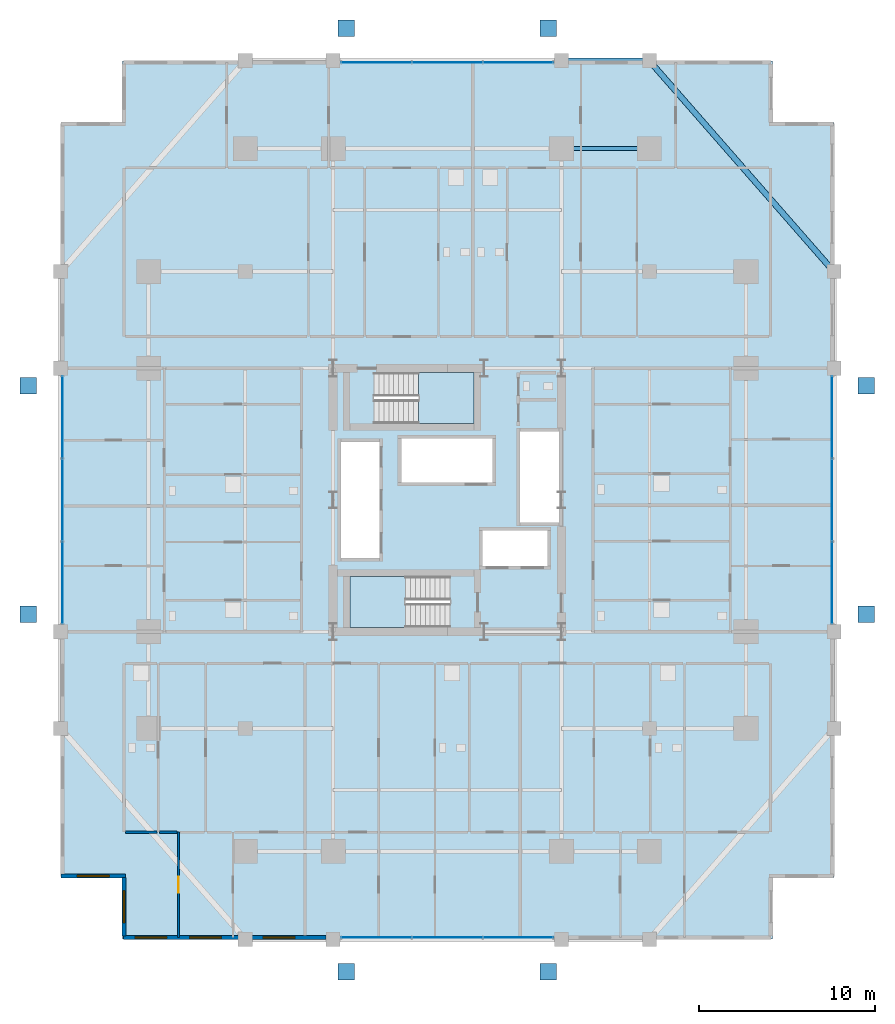
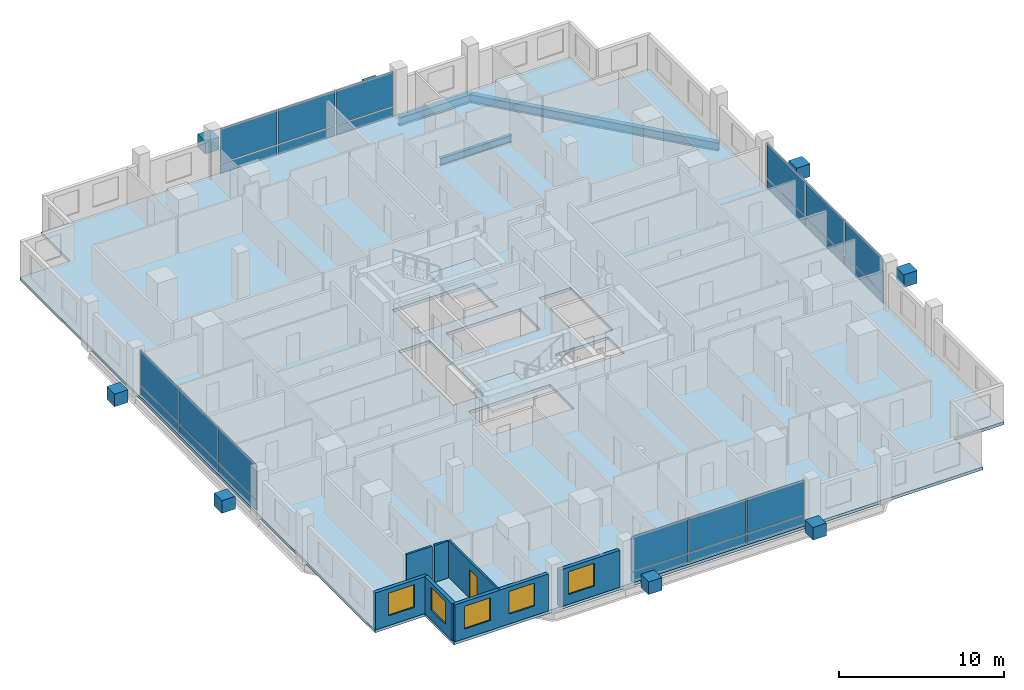
# One storey, part 16 of 24: 32 plates, 7 walls, 5 windows, 3 beams, 3 slabs, 1 door, 6 openings, 6 elements without a shape of their own.
"""IFC4 building model written with IfcOpenShell, lengths in metres."""

from ifc_helpers import new_model, si_unit, direction, frame, frame_2d, origin, origin_2d, place, context, subcontext, project, spatial, polyline, rectangle, i_section, outline, extrude, material, layer, layer_set, material_profile, profile_set, type_object, element, fill, aggregate, save


model = new_model("IFC4")

# Units and contexts
model_context = context("Model", 3, precision=1e-05, world=origin(), true_north=direction((0.0, 1.0)))
body_context = subcontext(model_context, "Body", "Model", "MODEL_VIEW")
ifc_project = project(units=[si_unit("LENGTHUNIT", "METRE"), si_unit("AREAUNIT", "SQUARE_METRE"), si_unit("VOLUMEUNIT", "CUBIC_METRE"), si_unit("PLANEANGLEUNIT", "RADIAN"), si_unit("MASSUNIT", "GRAM", prefix="KILO")], contexts=[model_context])

# Site, building, storey
site_placement = place(None, origin())
site = spatial("IfcSite", under=ifc_project, at=site_placement, CompositionType="ELEMENT")
building_placement = place(site_placement, origin())
building = spatial("IfcBuilding", under=site, at=building_placement, Name="Barlavira Tower and Art Museum", CompositionType="ELEMENT")
storey_placement = place(building_placement, frame((0.0, 0.0, 32.39990234375)))
storey = spatial("IfcBuildingStorey", under=building, at=storey_placement, Name="L06", CompositionType="ELEMENT", Elevation=32.39990234375)

# Beams
ifc_material_1 = material(Name="Steel S355", Category="steel")
ifc_material_profile_1 = material_profile(ifc_material_1, i_section(OverallWidth=0.327880859375, OverallDepth=0.62890625, WebThickness=0.013916015625, FlangeThickness=0.021484375, at=origin_2d()), Name="W610x174.0")
ifc_profile_set_1 = profile_set([ifc_material_profile_1], Name="Steel S355")
beam_type_1 = type_object("IfcBeamType", Name="Perimeter Spandrel Edge Beam W610x174 Steel S355", PredefinedType="SPANDREL", material=ifc_profile_set_1)
beam_1_placement = place(storey_placement, frame((22.0, 13.0, -0.534423828125), z_axis=(-0.658504607869, 0.752576694707, 0.0), x_axis=(-0.752576694707, -0.658504607869, 0.0)))
element("IfcBeam", 1, at=beam_1_placement, inside=storey, type_object=beam_type_1, Name="L06 Spandrel 8", PredefinedType="SPANDREL", context=body_context, shape_type="SweptSolid", body=[
    extrude(i_section(OverallWidth=0.327880859375, OverallDepth=0.62890625, WebThickness=0.013916015625, FlangeThickness=0.021484375, at=origin_2d()), origin(), (0.0, 0.0, 1.0), 15.9453125),
])
beam_2_placement = place(storey_placement, frame((6.5, 25.0, -0.534423828125), z_axis=(1.0, 0.0, 0.0), x_axis=(0.0, 1.0, 0.0)))
element("IfcBeam", 2, at=beam_2_placement, inside=storey, type_object=beam_type_1, Name="L06 Spandrel 9", PredefinedType="SPANDREL", context=body_context, shape_type="SweptSolid", body=[
    extrude(i_section(OverallWidth=0.327880859375, OverallDepth=0.62890625, WebThickness=0.013916015625, FlangeThickness=0.021484375, at=origin_2d()), origin(), (0.0, 0.0, 1.0), 5.0),
])
ifc_material_profile_2 = material_profile(ifc_material_1, i_section(OverallWidth=0.214111328125, OverallDepth=0.549072265625, WebThickness=0.0146484375, FlangeThickness=0.023681640625, at=origin_2d()), Name="W530x138.0")
ifc_profile_set_2 = profile_set([ifc_material_profile_2], Name="Steel S355")
beam_type_2 = type_object("IfcBeamType", Name="Zone 1 Primary Floor Girder W530x138 Steel S355", PredefinedType="BEAM", material=ifc_profile_set_2)
beam_3_placement = place(storey_placement, frame((6.5, 20.0, -0.494384765625), z_axis=(1.0, 0.0, 0.0), x_axis=(0.0, 1.0, 0.0)))
element("IfcBeam", 3, at=beam_3_placement, inside=storey, type_object=beam_type_2, Name="L06 Girder M-N3", PredefinedType="BEAM", context=body_context, shape_type="SweptSolid", body=[
    extrude(i_section(OverallWidth=0.214111328125, OverallDepth=0.549072265625, WebThickness=0.0146484375, FlangeThickness=0.023681640625, at=origin_2d()), origin(), (0.0, 0.0, 1.0), 5.0),
])

# Curtain wall, plates
ifc_material_2 = material(Name="Low-iron coastal laminated glass", Category="glass")
ifc_layer_1 = layer(ifc_material_2, 0.179931640625, Name="Low-iron coastal laminated glass")
ifc_layer_set_1 = layer_set([ifc_layer_1], Name="Low-iron coastal laminated glass")
curtain_wall_type = type_object("IfcCurtainWallType", Name="Pale-Metal Unitised Curtain Wall Zone 1", PredefinedType="NOTDEFINED", material=ifc_layer_set_1)
curtain_wall_1_placement = place(storey_placement, origin())
curtain_wall_1 = element("IfcCurtainWall", 4, at=curtain_wall_1_placement, inside=storey, type_object=curtain_wall_type, Name="L06 Curtain Wall CW1-L06-S-B3", PredefinedType="NOTDEFINED")
ifc_material_3 = material(Name="Pale anodised aluminium", Category="aluminium")
ifc_layer_2 = layer(ifc_material_3, 0.044921875, Name="Pale anodised aluminium")
ifc_layer_set_2 = layer_set([ifc_layer_2], Name="Pale anodised aluminium")
plate_type_1 = type_object("IfcPlateType", Name="Curtain Wall Pale-Metal Spandrel Panel 45", PredefinedType="CURTAIN_PANEL", material=ifc_layer_set_2)
plate_1_placement = place(storey_placement, frame((-4.05322265625, -24.89990234375, 0.0400390625), z_axis=(0.0, 0.0, 1.0), x_axis=(1.0, 0.0, 0.0)))
plate_1 = element("IfcPlate", 5, at=plate_1_placement, type_object=plate_type_1, Name="CW1-L06-S-B3 Spandrel Panel 0", PredefinedType="CURTAIN_PANEL", context=body_context, shape_type="SweptSolid", body=[
    extrude(rectangle(XDim=3.953369140625, YDim=0.044921875, at=origin_2d()), origin(), (0.0, 0.0, 1.0), 0.6640625),
])
plate_2_placement = place(storey_placement, frame((0.0, -24.89990234375, 0.0400390625), z_axis=(0.0, 0.0, 1.0), x_axis=(1.0, 0.0, 0.0)))
plate_2 = element("IfcPlate", 6, at=plate_2_placement, type_object=plate_type_1, Name="CW1-L06-S-B3 Spandrel Panel 1", PredefinedType="CURTAIN_PANEL", context=body_context, shape_type="SweptSolid", body=[
    extrude(rectangle(XDim=3.953369140625, YDim=0.044921875, at=origin_2d()), origin(), (0.0, 0.0, 1.0), 0.6640625),
])
plate_3_placement = place(storey_placement, frame((4.05322265625, -24.89990234375, 0.0400390625), z_axis=(0.0, 0.0, 1.0), x_axis=(1.0, 0.0, 0.0)))
plate_3 = element("IfcPlate", 7, at=plate_3_placement, type_object=plate_type_1, Name="CW1-L06-S-B3 Spandrel Panel 2", PredefinedType="CURTAIN_PANEL", context=body_context, shape_type="SweptSolid", body=[
    extrude(rectangle(XDim=3.953369140625, YDim=0.044921875, at=origin_2d()), origin(), (0.0, 0.0, 1.0), 0.6640625),
])

curtain_wall_2_placement = place(storey_placement, origin())
curtain_wall_2 = element("IfcCurtainWall", 8, at=curtain_wall_2_placement, inside=storey, type_object=curtain_wall_type, Name="L06 Curtain Wall CW1-L06-N-B3", PredefinedType="NOTDEFINED")
plate_4_placement = place(storey_placement, frame((4.05322265625, 24.89990234375, 0.0400390625), z_axis=(0.0, 0.0, 1.0), x_axis=(-1.0, 0.0, 0.0)))
plate_4 = element("IfcPlate", 9, at=plate_4_placement, type_object=plate_type_1, Name="CW1-L06-N-B3 Spandrel Panel 0", PredefinedType="CURTAIN_PANEL", context=body_context, shape_type="SweptSolid", body=[
    extrude(rectangle(XDim=3.953369140625, YDim=0.044921875, at=origin_2d()), origin(), (0.0, 0.0, 1.0), 0.6640625),
])
plate_5_placement = place(storey_placement, frame((0.0, 24.89990234375, 0.0400390625), z_axis=(0.0, 0.0, 1.0), x_axis=(-1.0, 0.0, 0.0)))
plate_5 = element("IfcPlate", 10, at=plate_5_placement, type_object=plate_type_1, Name="CW1-L06-N-B3 Spandrel Panel 1", PredefinedType="CURTAIN_PANEL", context=body_context, shape_type="SweptSolid", body=[
    extrude(rectangle(XDim=3.953369140625, YDim=0.044921875, at=origin_2d()), origin(), (0.0, 0.0, 1.0), 0.6640625),
])
plate_6_placement = place(storey_placement, frame((-4.05322265625, 24.89990234375, 0.0400390625), z_axis=(0.0, 0.0, 1.0), x_axis=(-1.0, 0.0, 0.0)))
plate_6 = element("IfcPlate", 11, at=plate_6_placement, type_object=plate_type_1, Name="CW1-L06-N-B3 Spandrel Panel 2", PredefinedType="CURTAIN_PANEL", context=body_context, shape_type="SweptSolid", body=[
    extrude(rectangle(XDim=3.953369140625, YDim=0.044921875, at=origin_2d()), origin(), (0.0, 0.0, 1.0), 0.6640625),
])

curtain_wall_3_placement = place(storey_placement, origin())
curtain_wall_3 = element("IfcCurtainWall", 12, at=curtain_wall_3_placement, inside=storey, type_object=curtain_wall_type, Name="L06 Curtain Wall CW1-L06-W-B3", PredefinedType="NOTDEFINED")
plate_7_placement = place(storey_placement, frame((-21.89990234375, 4.719970703125, 0.0400390625), z_axis=(0.0, 0.0, 1.0), x_axis=(0.0, -1.0, 0.0)))
plate_7 = element("IfcPlate", 13, at=plate_7_placement, type_object=plate_type_1, Name="CW1-L06-W-B3 Spandrel Panel 0", PredefinedType="CURTAIN_PANEL", context=body_context, shape_type="SweptSolid", body=[
    extrude(rectangle(XDim=4.6201171875, YDim=0.044921875, at=origin_2d()), origin(), (0.0, 0.0, 1.0), 0.6640625),
])
plate_8_placement = place(storey_placement, frame((-21.89990234375, 0.0, 0.0400390625), z_axis=(0.0, 0.0, 1.0), x_axis=(0.0, -1.0, 0.0)))
plate_8 = element("IfcPlate", 14, at=plate_8_placement, type_object=plate_type_1, Name="CW1-L06-W-B3 Spandrel Panel 1", PredefinedType="CURTAIN_PANEL", context=body_context, shape_type="SweptSolid", body=[
    extrude(rectangle(XDim=4.6201171875, YDim=0.044921875, at=origin_2d()), origin(), (0.0, 0.0, 1.0), 0.6640625),
])
plate_9_placement = place(storey_placement, frame((-21.89990234375, -4.719970703125, 0.0400390625), z_axis=(0.0, 0.0, 1.0), x_axis=(0.0, -1.0, 0.0)))
plate_9 = element("IfcPlate", 15, at=plate_9_placement, type_object=plate_type_1, Name="CW1-L06-W-B3 Spandrel Panel 2", PredefinedType="CURTAIN_PANEL", context=body_context, shape_type="SweptSolid", body=[
    extrude(rectangle(XDim=4.6201171875, YDim=0.044921875, at=origin_2d()), origin(), (0.0, 0.0, 1.0), 0.6640625),
])

curtain_wall_4_placement = place(storey_placement, origin())
curtain_wall_4 = element("IfcCurtainWall", 16, at=curtain_wall_4_placement, inside=storey, type_object=curtain_wall_type, Name="L06 Curtain Wall CW1-L06-E-B3", PredefinedType="NOTDEFINED")
plate_10_placement = place(storey_placement, frame((21.89990234375, -4.719970703125, 0.0400390625), z_axis=(0.0, 0.0, 1.0), x_axis=(0.0, 1.0, 0.0)))
plate_10 = element("IfcPlate", 17, at=plate_10_placement, type_object=plate_type_1, Name="CW1-L06-E-B3 Spandrel Panel 0", PredefinedType="CURTAIN_PANEL", context=body_context, shape_type="SweptSolid", body=[
    extrude(rectangle(XDim=4.6201171875, YDim=0.044921875, at=origin_2d()), origin(), (0.0, 0.0, 1.0), 0.6640625),
])
plate_11_placement = place(storey_placement, frame((21.89990234375, 0.0, 0.0400390625), z_axis=(0.0, 0.0, 1.0), x_axis=(0.0, 1.0, 0.0)))
plate_11 = element("IfcPlate", 18, at=plate_11_placement, type_object=plate_type_1, Name="CW1-L06-E-B3 Spandrel Panel 1", PredefinedType="CURTAIN_PANEL", context=body_context, shape_type="SweptSolid", body=[
    extrude(rectangle(XDim=4.6201171875, YDim=0.044921875, at=origin_2d()), origin(), (0.0, 0.0, 1.0), 0.6640625),
])
plate_12_placement = place(storey_placement, frame((21.89990234375, 4.719970703125, 0.0400390625), z_axis=(0.0, 0.0, 1.0), x_axis=(0.0, 1.0, 0.0)))
plate_12 = element("IfcPlate", 19, at=plate_12_placement, type_object=plate_type_1, Name="CW1-L06-E-B3 Spandrel Panel 2", PredefinedType="CURTAIN_PANEL", context=body_context, shape_type="SweptSolid", body=[
    extrude(rectangle(XDim=4.6201171875, YDim=0.044921875, at=origin_2d()), origin(), (0.0, 0.0, 1.0), 0.6640625),
])

# Plate
ifc_layer_3 = layer(ifc_material_2, 0.028076171875, Name="Low-iron coastal laminated glass")
ifc_layer_set_3 = layer_set([ifc_layer_3], Name="Low-iron coastal laminated glass")
plate_type_2 = type_object("IfcPlateType", Name="Curtain Wall Vision Glazing Panel 28", PredefinedType="CURTAIN_PANEL", material=ifc_layer_set_3)
plate_13_placement = place(storey_placement, frame((-4.05322265625, -24.89990234375, 0.7841796875), z_axis=(0.0, 0.0, 1.0), x_axis=(1.0, 0.0, 0.0)))
plate_13 = element("IfcPlate", 20, at=plate_13_placement, type_object=plate_type_2, Name="CW1-L06-S-B3 Vision Glass Panel 0", PredefinedType="CURTAIN_PANEL", context=body_context, shape_type="SweptSolid", body=[
    extrude(rectangle(XDim=3.953369140625, YDim=0.028076171875, at=origin_2d()), origin(), (0.0, 0.0, 1.0), 2.555908203125),
])

plate_14_placement = place(storey_placement, frame((0.0, -24.89990234375, 0.7841796875), z_axis=(0.0, 0.0, 1.0), x_axis=(1.0, 0.0, 0.0)))
plate_14 = element("IfcPlate", 21, at=plate_14_placement, type_object=plate_type_2, Name="CW1-L06-S-B3 Vision Glass Panel 1", PredefinedType="CURTAIN_PANEL", context=body_context, shape_type="SweptSolid", body=[
    extrude(rectangle(XDim=3.953369140625, YDim=0.028076171875, at=origin_2d()), origin(), (0.0, 0.0, 1.0), 2.555908203125),
])

plate_15_placement = place(storey_placement, frame((4.05322265625, -24.89990234375, 0.7841796875), z_axis=(0.0, 0.0, 1.0), x_axis=(1.0, 0.0, 0.0)))
plate_15 = element("IfcPlate", 22, at=plate_15_placement, type_object=plate_type_2, Name="CW1-L06-S-B3 Vision Glass Panel 2", PredefinedType="CURTAIN_PANEL", context=body_context, shape_type="SweptSolid", body=[
    extrude(rectangle(XDim=3.953369140625, YDim=0.028076171875, at=origin_2d()), origin(), (0.0, 0.0, 1.0), 2.555908203125),
])

aggregate(curtain_wall_1, [plate_1, plate_13, plate_2, plate_14, plate_3, plate_15])

plate_16_placement = place(storey_placement, frame((4.05322265625, 24.89990234375, 0.7841796875), z_axis=(0.0, 0.0, 1.0), x_axis=(-1.0, 0.0, 0.0)))
plate_16 = element("IfcPlate", 23, at=plate_16_placement, type_object=plate_type_2, Name="CW1-L06-N-B3 Vision Glass Panel 0", PredefinedType="CURTAIN_PANEL", context=body_context, shape_type="SweptSolid", body=[
    extrude(rectangle(XDim=3.953369140625, YDim=0.028076171875, at=origin_2d()), origin(), (0.0, 0.0, 1.0), 2.555908203125),
])

plate_17_placement = place(storey_placement, frame((0.0, 24.89990234375, 0.7841796875), z_axis=(0.0, 0.0, 1.0), x_axis=(-1.0, 0.0, 0.0)))
plate_17 = element("IfcPlate", 24, at=plate_17_placement, type_object=plate_type_2, Name="CW1-L06-N-B3 Vision Glass Panel 1", PredefinedType="CURTAIN_PANEL", context=body_context, shape_type="SweptSolid", body=[
    extrude(rectangle(XDim=3.953369140625, YDim=0.028076171875, at=origin_2d()), origin(), (0.0, 0.0, 1.0), 2.555908203125),
])

plate_18_placement = place(storey_placement, frame((-4.05322265625, 24.89990234375, 0.7841796875), z_axis=(0.0, 0.0, 1.0), x_axis=(-1.0, 0.0, 0.0)))
plate_18 = element("IfcPlate", 25, at=plate_18_placement, type_object=plate_type_2, Name="CW1-L06-N-B3 Vision Glass Panel 2", PredefinedType="CURTAIN_PANEL", context=body_context, shape_type="SweptSolid", body=[
    extrude(rectangle(XDim=3.953369140625, YDim=0.028076171875, at=origin_2d()), origin(), (0.0, 0.0, 1.0), 2.555908203125),
])

aggregate(curtain_wall_2, [plate_4, plate_16, plate_5, plate_17, plate_6, plate_18])

plate_19_placement = place(storey_placement, frame((-21.89990234375, 4.719970703125, 0.7841796875), z_axis=(0.0, 0.0, 1.0), x_axis=(0.0, -1.0, 0.0)))
plate_19 = element("IfcPlate", 26, at=plate_19_placement, type_object=plate_type_2, Name="CW1-L06-W-B3 Vision Glass Panel 0", PredefinedType="CURTAIN_PANEL", context=body_context, shape_type="SweptSolid", body=[
    extrude(rectangle(XDim=4.6201171875, YDim=0.028076171875, at=origin_2d()), origin(), (0.0, 0.0, 1.0), 2.555908203125),
])

plate_20_placement = place(storey_placement, frame((-21.89990234375, 0.0, 0.7841796875), z_axis=(0.0, 0.0, 1.0), x_axis=(0.0, -1.0, 0.0)))
plate_20 = element("IfcPlate", 27, at=plate_20_placement, type_object=plate_type_2, Name="CW1-L06-W-B3 Vision Glass Panel 1", PredefinedType="CURTAIN_PANEL", context=body_context, shape_type="SweptSolid", body=[
    extrude(rectangle(XDim=4.6201171875, YDim=0.028076171875, at=origin_2d()), origin(), (0.0, 0.0, 1.0), 2.555908203125),
])

plate_21_placement = place(storey_placement, frame((-21.89990234375, -4.719970703125, 0.7841796875), z_axis=(0.0, 0.0, 1.0), x_axis=(0.0, -1.0, 0.0)))
plate_21 = element("IfcPlate", 28, at=plate_21_placement, type_object=plate_type_2, Name="CW1-L06-W-B3 Vision Glass Panel 2", PredefinedType="CURTAIN_PANEL", context=body_context, shape_type="SweptSolid", body=[
    extrude(rectangle(XDim=4.6201171875, YDim=0.028076171875, at=origin_2d()), origin(), (0.0, 0.0, 1.0), 2.555908203125),
])

aggregate(curtain_wall_3, [plate_7, plate_19, plate_8, plate_20, plate_9, plate_21])

plate_22_placement = place(storey_placement, frame((21.89990234375, -4.719970703125, 0.7841796875), z_axis=(0.0, 0.0, 1.0), x_axis=(0.0, 1.0, 0.0)))
plate_22 = element("IfcPlate", 29, at=plate_22_placement, type_object=plate_type_2, Name="CW1-L06-E-B3 Vision Glass Panel 0", PredefinedType="CURTAIN_PANEL", context=body_context, shape_type="SweptSolid", body=[
    extrude(rectangle(XDim=4.6201171875, YDim=0.028076171875, at=origin_2d()), origin(), (0.0, 0.0, 1.0), 2.555908203125),
])

plate_23_placement = place(storey_placement, frame((21.89990234375, 0.0, 0.7841796875), z_axis=(0.0, 0.0, 1.0), x_axis=(0.0, 1.0, 0.0)))
plate_23 = element("IfcPlate", 30, at=plate_23_placement, type_object=plate_type_2, Name="CW1-L06-E-B3 Vision Glass Panel 1", PredefinedType="CURTAIN_PANEL", context=body_context, shape_type="SweptSolid", body=[
    extrude(rectangle(XDim=4.6201171875, YDim=0.028076171875, at=origin_2d()), origin(), (0.0, 0.0, 1.0), 2.555908203125),
])

plate_24_placement = place(storey_placement, frame((21.89990234375, 4.719970703125, 0.7841796875), z_axis=(0.0, 0.0, 1.0), x_axis=(0.0, 1.0, 0.0)))
plate_24 = element("IfcPlate", 31, at=plate_24_placement, type_object=plate_type_2, Name="CW1-L06-E-B3 Vision Glass Panel 2", PredefinedType="CURTAIN_PANEL", context=body_context, shape_type="SweptSolid", body=[
    extrude(rectangle(XDim=4.6201171875, YDim=0.028076171875, at=origin_2d()), origin(), (0.0, 0.0, 1.0), 2.555908203125),
])

aggregate(curtain_wall_4, [plate_10, plate_22, plate_11, plate_23, plate_12, plate_24])

# Plates
ifc_layer_4 = layer(ifc_material_1, 0.93994140625, Name="Steel S355")
ifc_layer_set_4 = layer_set([ifc_layer_4], Name="Steel S355")
plate_type_3 = type_object("IfcPlateType", Name="Exoskeleton Solid Steel Node Cap Plate Assembly Type 1 Steel S355", PredefinedType="USERDEFINED", material=ifc_layer_set_4)
for number, where, z_axis, x_axis, name in (
    (32, (-5.75, -26.85009765625, 0.610107421875), (0.0, 0.0, 1.0), (1.0, 0.0, 0.0), "Exoskeleton Diamond Node S1 ND-L06-0007"),
    (33, (5.75, -26.85009765625, 0.610107421875), (0.0, 0.0, 1.0), (1.0, 0.0, 0.0), "Exoskeleton Diamond Node S2 ND-L06-0008"),
    (34, (-5.75, 26.85009765625, 0.610107421875), (0.0, 0.0, 1.0), (1.0, 0.0, 0.0), "Exoskeleton Diamond Node N1 ND-L06-0018"),
    (35, (5.75, 26.85009765625, 0.610107421875), (0.0, 0.0, 1.0), (1.0, 0.0, 0.0), "Exoskeleton Diamond Node N2 ND-L06-0019"),
    (36, (-23.85009765625, -6.5, 0.610107421875), (0.0, 0.0, 1.0), (1.0, 0.0, 0.0), "Exoskeleton Diamond Node W1 ND-L06-0029"),
    (37, (-23.85009765625, 6.5, 0.610107421875), (0.0, 0.0, 1.0), (1.0, 0.0, 0.0), "Exoskeleton Diamond Node W2 ND-L06-0030"),
    (38, (23.85009765625, -6.5, 0.610107421875), (0.0, 0.0, 1.0), (1.0, 0.0, 0.0), "Exoskeleton Diamond Node E1 ND-L06-0040"),
    (39, (23.85009765625, 6.5, 0.610107421875), (0.0, 0.0, 1.0), (1.0, 0.0, 0.0), "Exoskeleton Diamond Node E2 ND-L06-0041"),
):
    element("IfcPlate", number, at=place(storey_placement, frame(where, z_axis=z_axis, x_axis=x_axis)), inside=storey, type_object=plate_type_3, Name=name, ObjectType="FLANGE_PLATE", PredefinedType="USERDEFINED", context=body_context, shape_type="SweptSolid", body=[
        extrude(rectangle(XDim=0.93994140625, YDim=0.93994140625, at=origin_2d()), origin(), (0.0, 0.0, 1.0), 0.93994140625),
    ])

# Stair, slab
ifc_material_4 = material(Name="Concrete C45", Category="concrete")
stair_type_1 = type_object("IfcStairType", Name="Tower North Dog-Leg Exit Stair Assembly Concrete C45", PredefinedType="TWO_QUARTER_TURN_STAIR", material=ifc_material_4)
stair_1_placement = place(storey_placement, origin())
stair_1 = element("IfcStair", 40, at=stair_1_placement, inside=storey, type_object=stair_type_1, Name="L06 Tower North Exit Stair ST-T2", PredefinedType="TWO_QUARTER_TURN_STAIR")
ifc_layer_5 = layer(ifc_material_4, 0.199951171875, Name="Concrete C45")
ifc_layer_set_5 = layer_set([ifc_layer_5], Name="Concrete C45")
slab_type_1 = type_object("IfcSlabType", Name="Tower North Dog-Leg Exit Stair Half-Landing Slab 200 Concrete C45", PredefinedType="LANDING", material=ifc_layer_set_5)
slab_1_placement = place(storey_placement, frame((0.0, 0.0, 1.60009765625)))
slab_1 = element("IfcSlab", 41, at=slab_1_placement, type_object=slab_type_1, Name="ST-T2 landing 1", PredefinedType="LANDING", context=body_context, shape_type="SweptSolid", body=[
    extrude(outline(polyline([(-1.64990234375, 4.35009765625), (1.530029296875, 4.35009765625), (1.530029296875, 7.25), (-1.64990234375, 7.25), (-1.64990234375, 4.35009765625)])), origin(), (0.0, 0.0, 1.0), 0.199951171875),
])
aggregate(stair_1, [slab_1])

stair_type_2 = type_object("IfcStairType", Name="Tower South Dog-Leg Exit Stair Assembly Concrete C45", PredefinedType="TWO_QUARTER_TURN_STAIR", material=ifc_material_4)
stair_2_placement = place(storey_placement, origin())
stair_2 = element("IfcStair", 42, at=stair_2_placement, inside=storey, type_object=stair_type_2, Name="L06 Tower South Exit Stair ST-T1", PredefinedType="TWO_QUARTER_TURN_STAIR")
ifc_layer_6 = layer(ifc_material_4, 0.199951171875, Name="Concrete C45")
ifc_layer_set_6 = layer_set([ifc_layer_6], Name="Concrete C45")
slab_type_2 = type_object("IfcSlabType", Name="Tower South Dog-Leg Exit Stair Half-Landing Slab 200 Concrete C45", PredefinedType="LANDING", material=ifc_layer_set_6)
slab_2_placement = place(storey_placement, frame((0.0, 0.0, 1.60009765625)))
slab_2 = element("IfcSlab", 43, at=slab_2_placement, type_object=slab_type_2, Name="ST-T1 landing 1", PredefinedType="LANDING", context=body_context, shape_type="SweptSolid", body=[
    extrude(outline(polyline([(-2.3701171875, -4.35009765625), (-5.550048828125, -4.35009765625), (-5.550048828125, -7.25), (-2.3701171875, -7.25), (-2.3701171875, -4.35009765625)])), origin(), (0.0, 0.0, 1.0), 0.199951171875),
])
aggregate(stair_2, [slab_2])

# Slab
ifc_material_5 = material(Name="Concrete C50", Category="concrete")
ifc_layer_7 = layer(ifc_material_5, 0.219970703125, Name="Concrete C50")
ifc_layer_set_7 = layer_set([ifc_layer_7], Name="Concrete C50")
slab_type_3 = type_object("IfcSlabType", Name="Zone 1 Residential Composite Slab 220 Concrete C50", PredefinedType="FLOOR", material=ifc_layer_set_7)
slab_3_placement = place(storey_placement, frame((0.0, 0.0, -0.219970703125)))
element("IfcSlab", 44, at=slab_3_placement, inside=storey, type_object=slab_type_3, Name="L06 Tower Floor Slab", PredefinedType="FLOOR", context=body_context, shape_type="SweptSolid", body=[
    extrude(outline(polyline([(-18.5, -25.0), (18.5, -25.0), (18.5, -21.5), (22.0, -21.5), (22.0, 21.5), (18.5, 21.5), (18.5, 25.0), (-18.5, 25.0), (-18.5, 21.5), (-22.0, 21.5), (-22.0, -21.5), (-18.5, -21.5), (-18.5, -25.0)]), holes=[polyline([(0.14990234375, -4.35009765625), (-5.550048828125, -4.35009765625), (-5.550048828125, -7.25), (0.14990234375, -7.25), (0.14990234375, -4.35009765625)]), polyline([(-4.169921875, 4.35009765625), (1.530029296875, 4.35009765625), (1.530029296875, 7.25), (-4.169921875, 7.25), (-4.169921875, 4.35009765625)]), polyline([(-6.050048828125, -3.31005859375), (-3.85009765625, -3.31005859375), (-3.85009765625, 3.31005859375), (-6.050048828125, 3.31005859375), (-6.050048828125, -3.31005859375)]), polyline([(4.14990234375, -1.2900390625), (6.35009765625, -1.2900390625), (6.35009765625, 3.889892578125), (4.14990234375, 3.889892578125), (4.14990234375, -1.2900390625)]), polyline([(-2.6201171875, 1.0), (2.56005859375, 1.0), (2.56005859375, 3.5), (-2.6201171875, 3.5), (-2.6201171875, 1.0)]), polyline([(2.0, -3.75), (5.699951171875, -3.75), (5.699951171875, -1.75), (2.0, -1.75), (2.0, -3.75)])]), origin(), (0.0, 0.0, 1.0), 0.219970703125),
])

# Wall, opening, door
ifc_material_6 = material(Name="Gypsum acoustic stud partition", Category="gypsum")
ifc_layer_8 = layer(ifc_material_6, 0.1201171875, Name="Gypsum acoustic stud partition")
ifc_layer_set_8 = layer_set([ifc_layer_8], Name="Gypsum acoustic stud partition")
wall_type_1 = type_object("IfcWallType", Name="Apartment Internal Acoustic Partition 120", PredefinedType="PARTITIONING", material=ifc_layer_set_8)
wall_1_placement = place(storey_placement, frame((-15.300048828125, -24.89990234375, 0.0), z_axis=(0.0, 0.0, 1.0), x_axis=(0.0, 1.0, 0.0)))
wall_1 = element("IfcWall", 45, at=wall_1_placement, inside=storey, type_object=wall_type_1, Name="L06 Partition Wall 5", PredefinedType="PARTITIONING", context=body_context, shape_type="SweptSolid", body=[
    extrude(rectangle(XDim=6.0, YDim=0.1201171875, at=frame_2d((3.0, 0.0))), origin(), (0.0, 0.0, 1.0), 2.736083984375),
])
opening_1_placement = place(wall_1_placement, frame((2.550048828125, 0.0, 0.0)))
opening_1 = element("IfcOpeningElement", 46, at=opening_1_placement, cuts=wall_1, Name="Opening D-01", PredefinedType="OPENING", context=body_context, shape_type="SweptSolid", body=[
    extrude(rectangle(XDim=0.89990234375, YDim=2.10009765625, at=frame_2d((0.449951171875, 1.050048828125))), frame((0.0, 0.070068359375, 0.0), z_axis=(0.0, -1.0, 0.0), x_axis=(1.0, 0.0, 0.0)), (0.0, 0.0, 1.0), 0.14013671875),
])
ifc_material_7 = material(Name="Engineered coastal hardwood", Category="wood")
door_type = type_object("IfcDoorType", Name="Internal Bedroom Timber Flush Door 900x2100", OperationType="NOTDEFINED", PredefinedType="DOOR", material=ifc_material_7)
door_placement = place(opening_1_placement, origin())
door = element("IfcDoor", 47, at=door_placement, inside=storey, type_object=door_type, Name="Apartment S1 Bedroom 2 Door", OperationType="SINGLE_SWING_RIGHT", OverallHeight=2.10009765625, OverallWidth=0.89990234375, PredefinedType="DOOR", context=body_context, shape_type="SweptSolid", body=[
    extrude(rectangle(XDim=0.89990234375, YDim=2.10009765625, at=frame_2d((0.449951171875, 1.050048828125))), frame((0.0, 0.02490234375, 0.0), z_axis=(0.0, -1.0, 0.0), x_axis=(1.0, 0.0, 0.0)), (0.0, 0.0, 1.0), 0.050048828125),
])
fill(opening_1, door)

# Walls
ifc_layer_9 = layer(ifc_material_6, 0.139892578125, Name="Gypsum acoustic stud partition")
ifc_layer_set_9 = layer_set([ifc_layer_9], Name="Gypsum acoustic stud partition")
wall_type_2 = type_object("IfcWallType", Name="Moisture-Resistant Bathroom Partition 140", PredefinedType="PARTITIONING", material=ifc_layer_set_9)
wall_2_placement = place(storey_placement, frame((-18.320068359375, -18.89990234375, 0.0), z_axis=(0.0, 0.0, 1.0), x_axis=(1.0, 0.0, 0.0)))
element("IfcWall", 48, at=wall_2_placement, inside=storey, type_object=wall_type_2, Name="L06 Partition Wall 33", PredefinedType="PARTITIONING", context=body_context, shape_type="SweptSolid", body=[
    extrude(rectangle(XDim=1.7900390625, YDim=0.139892578125, at=frame_2d((0.89501953125, 0.0))), origin(), (0.0, 0.0, 1.0), 2.736083984375),
])
wall_3_placement = place(storey_placement, frame((-16.3701171875, -18.89990234375, 0.0), z_axis=(0.0, 0.0, 1.0), x_axis=(1.0, 0.0, 0.0)))
element("IfcWall", 49, at=wall_3_placement, inside=storey, type_object=wall_type_2, Name="L06 Partition Wall 34", PredefinedType="PARTITIONING", context=body_context, shape_type="SweptSolid", body=[
    extrude(rectangle(XDim=0.990234375, YDim=0.139892578125, at=frame_2d((0.4951171875, 0.0))), origin(), (0.0, 0.0, 1.0), 2.736083984375),
])

# Wall, openings, windows
ifc_material_8 = material(Name="Precast concrete C40", Category="concrete")
ifc_layer_10 = layer(ifc_material_8, 0.25, Name="Precast concrete C40")
ifc_layer_set_10 = layer_set([ifc_layer_10], Name="Precast concrete C40")
wall_type_3 = type_object("IfcWallType", Name="Notched Corner Spandrel Wall 250 Precast Concrete C40", PredefinedType="SOLIDWALL", material=ifc_layer_set_10)
wall_4_placement = place(storey_placement, frame((-18.425048828125, -24.89990234375, 0.0), z_axis=(0.0, 0.0, 1.0), x_axis=(1.0, 0.0, 0.0)))
wall_4 = element("IfcWall", 50, at=wall_4_placement, inside=storey, type_object=wall_type_3, Name="L06 Coastal Facade Pier Wall CW1-L06-S-1", PredefinedType="SOLIDWALL", context=body_context, shape_type="SweptSolid", body=[
    extrude(rectangle(XDim=6.530029296875, YDim=0.25, at=frame_2d((3.26513671875, 0.0))), origin(), (0.0, 0.0, 1.0), 2.736083984375),
])
opening_2_placement = place(wall_4_placement, frame((0.656982421875, 0.0, 0.719970703125)))
opening_2 = element("IfcOpeningElement", 51, at=opening_2_placement, cuts=wall_4, Name="Opening WN-01", PredefinedType="OPENING", context=body_context, shape_type="SweptSolid", body=[
    extrude(rectangle(XDim=1.800048828125, YDim=1.679931640625, at=frame_2d((0.89990234375, 0.83984375))), frame((0.0, 0.135009765625, 0.0), z_axis=(0.0, -1.0, 0.0), x_axis=(1.0, 0.0, 0.0)), (0.0, 0.0, 1.0), 0.27001953125),
])
opening_3_placement = place(wall_4_placement, frame((3.760009765625, 0.0, 0.719970703125)))
opening_3 = element("IfcOpeningElement", 52, at=opening_3_placement, cuts=wall_4, Name="Opening WN-01", PredefinedType="OPENING", context=body_context, shape_type="SweptSolid", body=[
    extrude(rectangle(XDim=1.800048828125, YDim=1.679931640625, at=frame_2d((0.89990234375, 0.83984375))), frame((0.0, 0.135009765625, 0.0), z_axis=(0.0, -1.0, 0.0), x_axis=(1.0, 0.0, 0.0)), (0.0, 0.0, 1.0), 0.27001953125),
])
window_type = type_object("IfcWindowType", Name="Recessed Notch Corner Punch Window 1800x1680", PartitioningType="SINGLE_PANEL", PredefinedType="WINDOW", material=ifc_material_2)
window_1_placement = place(opening_2_placement, origin())
window_1 = element("IfcWindow", 53, at=window_1_placement, inside=storey, type_object=window_type, Name="L06 Punched Facade Window EWP-CW1-L06-S-1-1", OverallHeight=1.679931640625, OverallWidth=1.800048828125, PartitioningType="SINGLE_PANEL", PredefinedType="WINDOW", context=body_context, shape_type="SweptSolid", body=[
    extrude(rectangle(XDim=1.800048828125, YDim=1.679931640625, at=frame_2d((0.89990234375, 0.83984375))), frame((0.0, 0.030029296875, 0.0), z_axis=(0.0, -1.0, 0.0), x_axis=(1.0, 0.0, 0.0)), (0.0, 0.0, 1.0), 0.06005859375),
])
fill(opening_2, window_1)
window_2_placement = place(opening_3_placement, origin())
window_2 = element("IfcWindow", 54, at=window_2_placement, inside=storey, type_object=window_type, Name="L06 Punched Facade Window EWP-CW1-L06-S-1-2", OverallHeight=1.679931640625, OverallWidth=1.800048828125, PartitioningType="SINGLE_PANEL", PredefinedType="WINDOW", context=body_context, shape_type="SweptSolid", body=[
    extrude(rectangle(XDim=1.800048828125, YDim=1.679931640625, at=frame_2d((0.89990234375, 0.83984375))), frame((0.0, 0.030029296875, 0.0), z_axis=(0.0, -1.0, 0.0), x_axis=(1.0, 0.0, 0.0)), (0.0, 0.0, 1.0), 0.06005859375),
])
fill(opening_3, window_2)

# Wall, opening, window
wall_5_placement = place(storey_placement, frame((-11.10498046875, -24.89990234375, 0.0), z_axis=(0.0, 0.0, 1.0), x_axis=(1.0, 0.0, 0.0)))
wall_5 = element("IfcWall", 55, at=wall_5_placement, inside=storey, type_object=wall_type_3, Name="L06 Coastal Facade Pier Wall CW1-L06-S-2", PredefinedType="SOLIDWALL", context=body_context, shape_type="SweptSolid", body=[
    extrude(rectangle(XDim=4.2099609375, YDim=0.25, at=frame_2d((2.10498046875, 0.0))), origin(), (0.0, 0.0, 1.0), 2.736083984375),
])
opening_4_placement = place(wall_5_placement, frame((0.625, 0.0, 0.719970703125)))
opening_4 = element("IfcOpeningElement", 56, at=opening_4_placement, cuts=wall_5, Name="Opening WN-01", PredefinedType="OPENING", context=body_context, shape_type="SweptSolid", body=[
    extrude(rectangle(XDim=1.800048828125, YDim=1.679931640625, at=frame_2d((0.89990234375, 0.83984375))), frame((0.0, 0.135009765625, 0.0), z_axis=(0.0, -1.0, 0.0), x_axis=(1.0, 0.0, 0.0)), (0.0, 0.0, 1.0), 0.27001953125),
])
window_3_placement = place(opening_4_placement, origin())
window_3 = element("IfcWindow", 57, at=window_3_placement, inside=storey, type_object=window_type, Name="L06 Punched Facade Window EWP-CW1-L06-S-2-1", OverallHeight=1.679931640625, OverallWidth=1.800048828125, PartitioningType="SINGLE_PANEL", PredefinedType="WINDOW", context=body_context, shape_type="SweptSolid", body=[
    extrude(rectangle(XDim=1.800048828125, YDim=1.679931640625, at=frame_2d((0.89990234375, 0.83984375))), frame((0.0, 0.030029296875, 0.0), z_axis=(0.0, -1.0, 0.0), x_axis=(1.0, 0.0, 0.0)), (0.0, 0.0, 1.0), 0.06005859375),
])
fill(opening_4, window_3)

wall_6_placement = place(storey_placement, frame((-21.97998046875, -21.39990234375, 0.0), z_axis=(0.0, 0.0, 1.0), x_axis=(1.0, 0.0, 0.0)))
wall_6 = element("IfcWall", 58, at=wall_6_placement, inside=storey, type_object=wall_type_3, Name="L06 Notch Corner Wall SW1", PredefinedType="SOLIDWALL", context=body_context, shape_type="SweptSolid", body=[
    extrude(rectangle(XDim=3.659912109375, YDim=0.25, at=frame_2d((1.830078125, 0.0))), origin(), (0.0, 0.0, 1.0), 2.736083984375),
])
opening_5_placement = place(wall_6_placement, frame((0.929931640625, 0.0, 0.719970703125)))
opening_5 = element("IfcOpeningElement", 59, at=opening_5_placement, cuts=wall_6, Name="Opening WN-01", PredefinedType="OPENING", context=body_context, shape_type="SweptSolid", body=[
    extrude(rectangle(XDim=1.800048828125, YDim=1.679931640625, at=frame_2d((0.89990234375, 0.83984375))), frame((0.0, 0.135009765625, 0.0), z_axis=(0.0, -1.0, 0.0), x_axis=(1.0, 0.0, 0.0)), (0.0, 0.0, 1.0), 0.27001953125),
])
window_4_placement = place(opening_5_placement, origin())
window_4 = element("IfcWindow", 60, at=window_4_placement, inside=storey, type_object=window_type, Name="L06 Punched Facade Window EW-NTC-L06-SW1-1", OverallHeight=1.679931640625, OverallWidth=1.800048828125, PartitioningType="SINGLE_PANEL", PredefinedType="WINDOW", context=body_context, shape_type="SweptSolid", body=[
    extrude(rectangle(XDim=1.800048828125, YDim=1.679931640625, at=frame_2d((0.89990234375, 0.83984375))), frame((0.0, 0.030029296875, 0.0), z_axis=(0.0, -1.0, 0.0), x_axis=(1.0, 0.0, 0.0)), (0.0, 0.0, 1.0), 0.06005859375),
])
fill(opening_5, window_4)

wall_7_placement = place(storey_placement, frame((-18.39990234375, -21.47998046875, 0.0), z_axis=(0.0, 0.0, 1.0), x_axis=(0.0, -1.0, 0.0)))
wall_7 = element("IfcWall", 61, at=wall_7_placement, inside=storey, type_object=wall_type_3, Name="L06 Notch Corner Wall SW2", PredefinedType="SOLIDWALL", context=body_context, shape_type="SweptSolid", body=[
    extrude(rectangle(XDim=3.340087890625, YDim=0.25, at=frame_2d((1.669921875, 0.0))), origin(), (0.0, 0.0, 1.0), 2.736083984375),
])
opening_6_placement = place(wall_7_placement, frame((0.77001953125, 0.0, 0.719970703125)))
opening_6 = element("IfcOpeningElement", 62, at=opening_6_placement, cuts=wall_7, Name="Opening WN-01", PredefinedType="OPENING", context=body_context, shape_type="SweptSolid", body=[
    extrude(rectangle(XDim=1.800048828125, YDim=1.679931640625, at=frame_2d((0.89990234375, 0.83984375))), frame((0.0, 0.135009765625, 0.0), z_axis=(0.0, -1.0, 0.0), x_axis=(1.0, 0.0, 0.0)), (0.0, 0.0, 1.0), 0.27001953125),
])
window_5_placement = place(opening_6_placement, origin())
window_5 = element("IfcWindow", 63, at=window_5_placement, inside=storey, type_object=window_type, Name="L06 Punched Facade Window EW-NTC-L06-SW2-1", OverallHeight=1.679931640625, OverallWidth=1.800048828125, PartitioningType="SINGLE_PANEL", PredefinedType="WINDOW", context=body_context, shape_type="SweptSolid", body=[
    extrude(rectangle(XDim=1.800048828125, YDim=1.679931640625, at=frame_2d((0.89990234375, 0.83984375))), frame((0.0, 0.030029296875, 0.0), z_axis=(0.0, -1.0, 0.0), x_axis=(1.0, 0.0, 0.0)), (0.0, 0.0, 1.0), 0.06005859375),
])
fill(opening_6, window_5)

save(model, "model.ifc")
